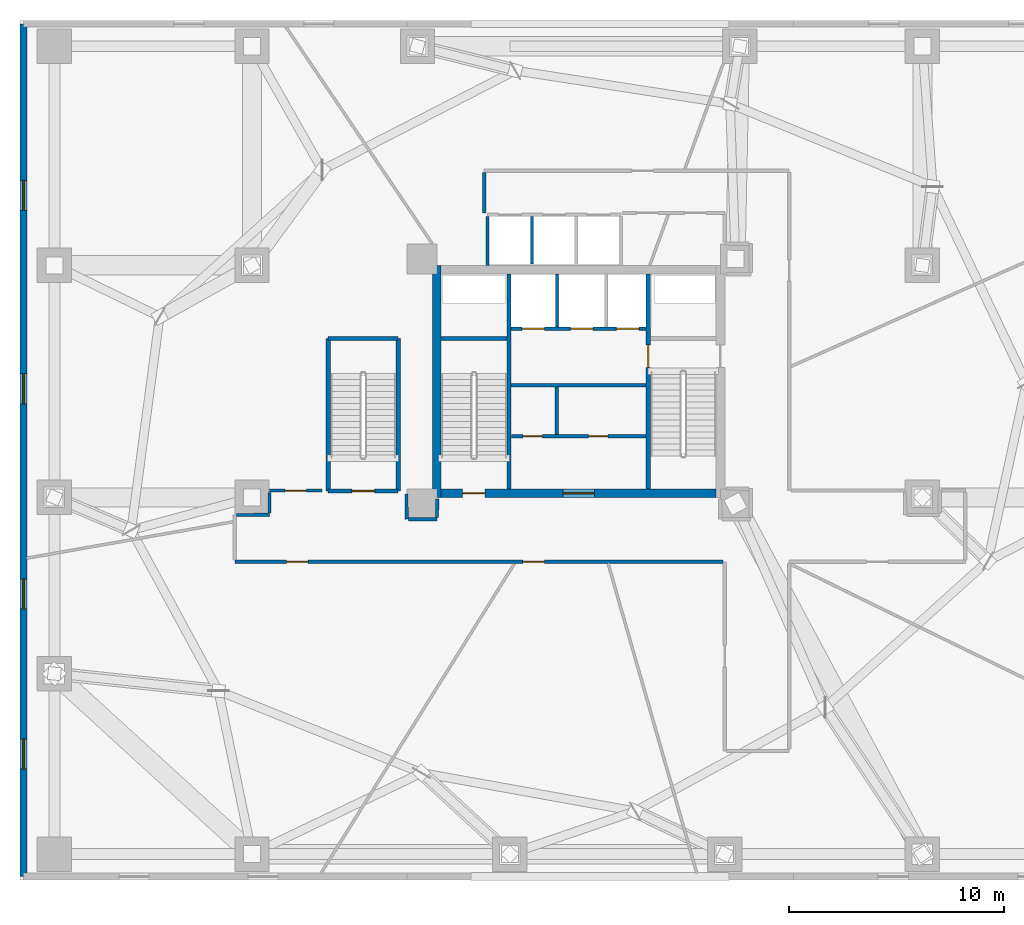
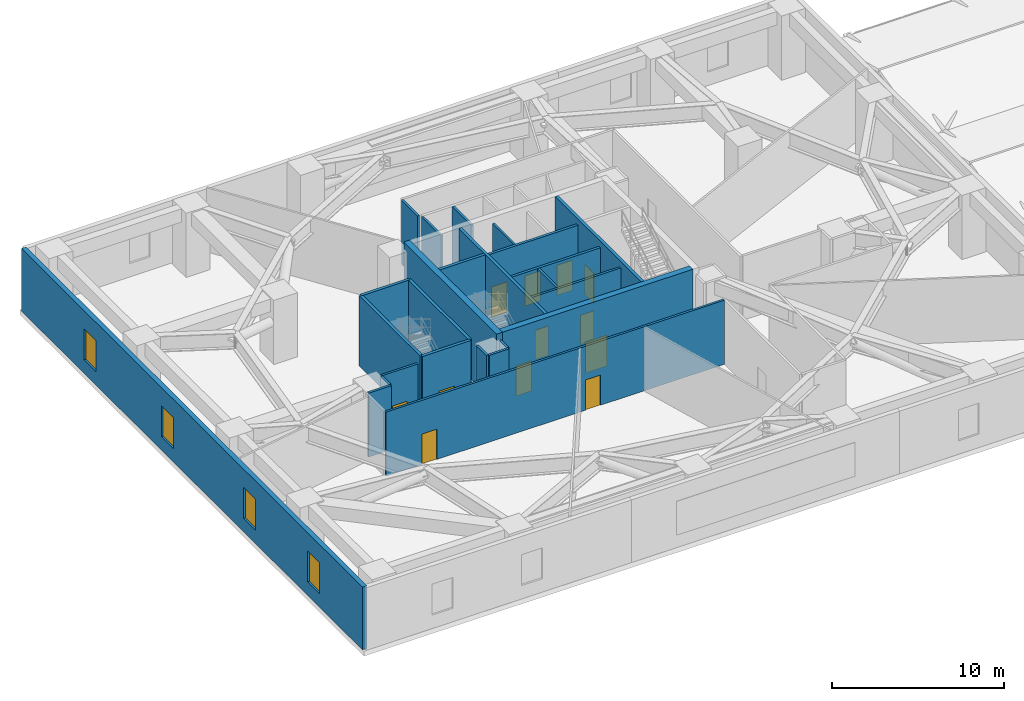
# One storey, part 9 of 13: 25 walls, 12 doors, 4 windows, 16 openings.
"""IFC4 building model written with IfcOpenShell, lengths in metres."""

from ifc_helpers import new_model, si_unit, direction, frame, frame_2d, origin, place, context, subcontext, project, spatial, rectangle, extrude, source, transform, mapped, material, layer, layer_set, type_object, type_shapes, element, fill, save


model = new_model("IFC4")

# Units and contexts
model_context = context("Model", 3, precision=1e-05, world=origin(), true_north=direction((0.0, 1.0)))
body_context = subcontext(model_context, "Body", "Model", "MODEL_VIEW")
ifc_project = project(units=[si_unit("LENGTHUNIT", "METRE"), si_unit("AREAUNIT", "SQUARE_METRE"), si_unit("VOLUMEUNIT", "CUBIC_METRE"), si_unit("PLANEANGLEUNIT", "RADIAN"), si_unit("MASSUNIT", "GRAM", prefix="KILO")], contexts=[model_context])

# Site, building, storey
site_placement = place(None, origin())
site = spatial("IfcSite", under=ifc_project, at=site_placement, CompositionType="ELEMENT")
building_placement = place(site_placement, origin())
building = spatial("IfcBuilding", under=site, at=building_placement, Name="Talar Marvaseh", CompositionType="ELEMENT")
storey_placement = place(building_placement, frame((0.0, 0.0, 19.0)))
storey = spatial("IfcBuildingStorey", under=building, at=storey_placement, Name="L04", CompositionType="ELEMENT", Elevation=19.0)

# Wall, openings, windows
ifc_material_1 = material(Name="Precast concrete C45/55", Category="concrete")
ifc_layer_1 = layer(ifc_material_1, 0.31005859375)
ifc_layer_set_1 = layer_set([ifc_layer_1], Name="Precast concrete C45/55")
wall_type_1 = type_object("IfcWallType", Name="Architectural Precast Limestone Podium Facade Wall 310", PredefinedType="SOLIDWALL", material=ifc_layer_set_1)
wall_1_placement = place(storey_placement, frame((0.159912109375, 8.159912109375, 0.0), z_axis=(0.0, 0.0, 1.0), x_axis=(0.0, 1.0, 0.0)))
wall_1 = element("IfcWall", 1, at=wall_1_placement, inside=storey, type_object=wall_type_1, Name="L04 Podium West Facade Wall", PredefinedType="SOLIDWALL", context=body_context, shape_type="SweptSolid", body=[
    extrude(rectangle(XDim=39.68017578125, YDim=0.31005859375, at=frame_2d((19.840087890625, 0.0))), origin(), (0.0, 0.0, 1.0), 4.449951171875),
])
opening_1_placement = place(wall_1_placement, frame((5.0, 0.0, 0.949951171875)))
opening_1 = element("IfcOpeningElement", 2, at=opening_1_placement, cuts=wall_1, Name="Opening WN-POD14", PredefinedType="OPENING", context=body_context, shape_type="SweptSolid", body=[
    extrude(rectangle(XDim=1.39990234375, YDim=2.199951171875, at=frame_2d((0.699951171875, 1.10009765625))), frame((0.0, 0.1650390625, 0.0), z_axis=(0.0, -1.0, 0.0), x_axis=(1.0, 0.0, 0.0)), (0.0, 0.0, 1.0), 0.330078125),
])
opening_2_placement = place(wall_1_placement, frame((12.449951171875, 0.0, 0.949951171875)))
opening_2 = element("IfcOpeningElement", 3, at=opening_2_placement, cuts=wall_1, Name="Opening WN-POD14", PredefinedType="OPENING", context=body_context, shape_type="SweptSolid", body=[
    extrude(rectangle(XDim=1.39990234375, YDim=2.199951171875, at=frame_2d((0.699951171875, 1.10009765625))), frame((0.0, 0.1650390625, 0.0), z_axis=(0.0, -1.0, 0.0), x_axis=(1.0, 0.0, 0.0)), (0.0, 0.0, 1.0), 0.330078125),
])
opening_3_placement = place(wall_1_placement, frame((22.0, 0.0, 0.949951171875)))
opening_3 = element("IfcOpeningElement", 4, at=opening_3_placement, cuts=wall_1, Name="Opening WN-POD14", PredefinedType="OPENING", context=body_context, shape_type="SweptSolid", body=[
    extrude(rectangle(XDim=1.39990234375, YDim=2.199951171875, at=frame_2d((0.699951171875, 1.10009765625))), frame((0.0, 0.1650390625, 0.0), z_axis=(0.0, -1.0, 0.0), x_axis=(1.0, 0.0, 0.0)), (0.0, 0.0, 1.0), 0.330078125),
])
opening_4_placement = place(wall_1_placement, frame((31.0, 0.0, 0.949951171875)))
opening_4 = element("IfcOpeningElement", 5, at=opening_4_placement, cuts=wall_1, Name="Opening WN-POD14", PredefinedType="OPENING", context=body_context, shape_type="SweptSolid", body=[
    extrude(rectangle(XDim=1.39990234375, YDim=2.199951171875, at=frame_2d((0.699951171875, 1.10009765625))), frame((0.0, 0.1650390625, 0.0), z_axis=(0.0, -1.0, 0.0), x_axis=(1.0, 0.0, 0.0)), (0.0, 0.0, 1.0), 0.330078125),
])
ifc_material_2 = material(Name="Laminated Low-E Solar Glass", Category="glass")
window_type = type_object("IfcWindowType", Name="Podium Mezzanine Solar Window 1400x2200", PartitioningType="SINGLE_PANEL", PredefinedType="WINDOW", material=ifc_material_2)
shared_shape_1 = source(origin(), body_context, "Body", "SweptSolid", [
    extrude(rectangle(XDim=1.39990234375, YDim=2.199951171875, at=frame_2d((0.699951171875, 1.10009765625))), frame((0.0, 0.030029296875, 0.0), z_axis=(0.0, -1.0, 0.0), x_axis=(1.0, 0.0, 0.0)), (0.0, 0.0, 1.0), 0.06005859375),
])
type_shapes(window_type, [shared_shape_1])
window_1_placement = place(opening_1_placement, origin())
window_1 = element("IfcWindow", 6, at=window_1_placement, inside=storey, type_object=window_type, Name="L04 Podium Solar Window", OverallHeight=2.199951171875, OverallWidth=1.39990234375, PartitioningType="SINGLE_PANEL", PredefinedType="WINDOW", context=body_context, shape_type="MappedRepresentation", body=[
    mapped(shared_shape_1, transform((0.0, 0.0, 0.0), x_axis=(1.0, 0.0, 0.0), y_axis=(0.0, 1.0, 0.0), z_axis=(0.0, 0.0, 1.0), scale=1.0)),
])
fill(opening_1, window_1)
window_2_placement = place(opening_2_placement, origin())
window_2 = element("IfcWindow", 7, at=window_2_placement, inside=storey, type_object=window_type, Name="L04 Podium Solar Window", OverallHeight=2.199951171875, OverallWidth=1.39990234375, PartitioningType="SINGLE_PANEL", PredefinedType="WINDOW", context=body_context, shape_type="MappedRepresentation", body=[
    mapped(shared_shape_1, transform((0.0, 0.0, 0.0), x_axis=(1.0, 0.0, 0.0), y_axis=(0.0, 1.0, 0.0), z_axis=(0.0, 0.0, 1.0), scale=1.0)),
])
fill(opening_2, window_2)
window_3_placement = place(opening_3_placement, origin())
window_3 = element("IfcWindow", 8, at=window_3_placement, inside=storey, type_object=window_type, Name="L04 Podium Solar Window", OverallHeight=2.199951171875, OverallWidth=1.39990234375, PartitioningType="SINGLE_PANEL", PredefinedType="WINDOW", context=body_context, shape_type="MappedRepresentation", body=[
    mapped(shared_shape_1, transform((0.0, 0.0, 0.0), x_axis=(1.0, 0.0, 0.0), y_axis=(0.0, 1.0, 0.0), z_axis=(0.0, 0.0, 1.0), scale=1.0)),
])
fill(opening_3, window_3)
window_4_placement = place(opening_4_placement, origin())
window_4 = element("IfcWindow", 9, at=window_4_placement, inside=storey, type_object=window_type, Name="L04 Podium Solar Window", OverallHeight=2.199951171875, OverallWidth=1.39990234375, PartitioningType="SINGLE_PANEL", PredefinedType="WINDOW", context=body_context, shape_type="MappedRepresentation", body=[
    mapped(shared_shape_1, transform((0.0, 0.0, 0.0), x_axis=(1.0, 0.0, 0.0), y_axis=(0.0, 1.0, 0.0), z_axis=(0.0, 0.0, 1.0), scale=1.0)),
])
fill(opening_4, window_4)

# Wall, openings, doors
ifc_material_3 = material(Name="Gypsum Board Partition Assembly")
ifc_layer_2 = layer(ifc_material_3, 0.155029296875)
ifc_layer_set_2 = layer_set([ifc_layer_2], Name="Gypsum Board Partition Assembly")
wall_type_2 = type_object("IfcWallType", Name="Corridor Fire-Rated Acoustic Partition 155", PredefinedType="PARTITIONING", material=ifc_layer_set_2)
wall_2_placement = place(storey_placement, frame((22.865966796875, 28.639892578125, 0.0), z_axis=(0.0, 0.0, 1.0), x_axis=(1.0, 0.0, 0.0)))
wall_2 = element("IfcWall", 10, at=wall_2_placement, inside=storey, type_object=wall_type_2, Name="L04 Core BOH Partition", PredefinedType="PARTITIONING", context=body_context, shape_type="SweptSolid", body=[
    extrude(rectangle(XDim=6.26806640625, YDim=0.155029296875, at=frame_2d((3.134033203125, 0.0))), origin(), (0.0, 0.0, 1.0), 4.550048828125),
])
opening_5_placement = place(wall_2_placement, frame((0.550048828125, 0.0, 0.0)))
opening_5 = element("IfcOpeningElement", 11, at=opening_5_placement, cuts=wall_2, Name="Opening DR-BOH090", PredefinedType="OPENING", context=body_context, shape_type="SweptSolid", body=[
    extrude(rectangle(XDim=0.89990234375, YDim=2.10009765625, at=frame_2d((0.449951171875, 1.050048828125))), frame((0.0, 0.08740234375, 0.0), z_axis=(0.0, -1.0, 0.0), x_axis=(1.0, 0.0, 0.0)), (0.0, 0.0, 1.0), 0.175048828125),
])
opening_6_placement = place(wall_2_placement, frame((3.60009765625, 0.0, 0.0)))
opening_6 = element("IfcOpeningElement", 12, at=opening_6_placement, cuts=wall_2, Name="Opening DR-BOH090", PredefinedType="OPENING", context=body_context, shape_type="SweptSolid", body=[
    extrude(rectangle(XDim=0.89990234375, YDim=2.10009765625, at=frame_2d((0.449951171875, 1.050048828125))), frame((0.0, 0.08740234375, 0.0), z_axis=(0.0, -1.0, 0.0), x_axis=(1.0, 0.0, 0.0)), (0.0, 0.0, 1.0), 0.175048828125),
])
ifc_material_4 = material(Name="Fire-Rated Steel Door Leaf", Category="steel")
door_type_1 = type_object("IfcDoorType", Name="Core Back-of-House Service Door 900x2100", OperationType="NOTDEFINED", PredefinedType="DOOR", material=ifc_material_4)
shared_shape_2 = source(origin(), body_context, "Body", "SweptSolid", [
    extrude(rectangle(XDim=0.89990234375, YDim=2.10009765625, at=frame_2d((0.449951171875, 1.050048828125))), frame((0.0, 0.02490234375, 0.0), z_axis=(0.0, -1.0, 0.0), x_axis=(1.0, 0.0, 0.0)), (0.0, 0.0, 1.0), 0.050048828125),
])
type_shapes(door_type_1, [shared_shape_2])
door_1_placement = place(opening_5_placement, origin())
door_1 = element("IfcDoor", 13, at=door_1_placement, inside=storey, type_object=door_type_1, Name="L04 Cleaner Janitor Store Door", OperationType="SINGLE_SWING_LEFT", OverallHeight=2.10009765625, OverallWidth=0.89990234375, PredefinedType="DOOR", context=body_context, shape_type="MappedRepresentation", body=[
    mapped(shared_shape_2, transform((0.0, 0.0, 0.0), x_axis=(1.0, 0.0, 0.0), y_axis=(0.0, 1.0, 0.0), z_axis=(0.0, 0.0, 1.0), scale=1.0)),
])
fill(opening_5, door_1)
door_2_placement = place(opening_6_placement, origin())
door_2 = element("IfcDoor", 14, at=door_2_placement, inside=storey, type_object=door_type_1, Name="L04 Plant Core Electrical Meter Room Door", OperationType="SINGLE_SWING_RIGHT", OverallHeight=2.10009765625, OverallWidth=0.89990234375, PredefinedType="DOOR", context=body_context, shape_type="MappedRepresentation", body=[
    mapped(shared_shape_2, transform((0.0, 0.0, 0.0), x_axis=(1.0, 0.0, 0.0), y_axis=(0.0, 1.0, 0.0), z_axis=(0.0, 0.0, 1.0), scale=1.0)),
])
fill(opening_6, door_2)

# Wall
wall_3_placement = place(storey_placement, frame((24.97998046875, 28.719970703125, 0.0), z_axis=(0.0, 0.0, 1.0), x_axis=(0.0, 1.0, 0.0)))
element("IfcWall", 15, at=wall_3_placement, inside=storey, type_object=wall_type_2, Name="L04 Core BOH Partition", PredefinedType="PARTITIONING", context=body_context, shape_type="SweptSolid", body=[
    extrude(rectangle(XDim=2.219970703125, YDim=0.155029296875, at=frame_2d((1.10986328125, 0.0))), origin(), (0.0, 0.0, 1.0), 4.550048828125),
])

# Wall, openings, doors
wall_4_placement = place(storey_placement, frame((32.716552734375, 22.800048828125, 0.0), z_axis=(0.0, 0.0, 1.0), x_axis=(-1.0, 0.0, 0.0)))
wall_4 = element("IfcWall", 16, at=wall_4_placement, inside=storey, type_object=wall_type_2, Name="L04 Interior Partition Wall", PredefinedType="PARTITIONING", context=body_context, shape_type="SweptSolid", body=[
    extrude(rectangle(XDim=22.716552734375, YDim=0.155029296875, at=frame_2d((11.3583984375, 0.0))), origin(), (0.0, 0.0, 1.0), 4.550048828125),
])
opening_7_placement = place(wall_4_placement, frame((19.311767578125, 0.0, 0.0)))
opening_7 = element("IfcOpeningElement", 17, at=opening_7_placement, cuts=wall_4, Name="Opening DR-RM100", PredefinedType="OPENING", context=body_context, shape_type="SweptSolid", body=[
    extrude(rectangle(XDim=1.0, YDim=2.14990234375, at=frame_2d((0.5, 1.074951171875))), frame((0.0, 0.08740234375, 0.0), z_axis=(0.0, -1.0, 0.0), x_axis=(1.0, 0.0, 0.0)), (0.0, 0.0, 1.0), 0.175048828125),
])
opening_8_placement = place(wall_4_placement, frame((8.3076171875, 0.0, 0.0)))
opening_8 = element("IfcOpeningElement", 18, at=opening_8_placement, cuts=wall_4, Name="Opening DR-RM100", PredefinedType="OPENING", context=body_context, shape_type="SweptSolid", body=[
    extrude(rectangle(XDim=1.0, YDim=2.14990234375, at=frame_2d((0.5, 1.074951171875))), frame((0.0, 0.08740234375, 0.0), z_axis=(0.0, -1.0, 0.0), x_axis=(1.0, 0.0, 0.0)), (0.0, 0.0, 1.0), 0.175048828125),
])
ifc_material_5 = material(Name="Acoustic Engineered Oak Timber", Category="wood")
door_type_2 = type_object("IfcDoorType", Name="Corridor Fire-Rated Gallery Door 1000x2150", OperationType="NOTDEFINED", PredefinedType="DOOR", material=ifc_material_5)
shared_shape_3 = source(origin(), body_context, "Body", "SweptSolid", [
    extrude(rectangle(XDim=1.0, YDim=2.14990234375, at=frame_2d((0.5, 1.074951171875))), frame((0.0, 0.02490234375, 0.0), z_axis=(0.0, -1.0, 0.0), x_axis=(1.0, 0.0, 0.0)), (0.0, 0.0, 1.0), 0.050048828125),
])
type_shapes(door_type_2, [shared_shape_3])
door_3_placement = place(opening_7_placement, origin())
door_3 = element("IfcDoor", 19, at=door_3_placement, inside=storey, type_object=door_type_2, Name="L04 Podium Transfer Truss Mechanical Plant Room Door", OperationType="SINGLE_SWING_LEFT", OverallHeight=2.14990234375, OverallWidth=1.0, PredefinedType="DOOR", context=body_context, shape_type="MappedRepresentation", body=[
    mapped(shared_shape_3, transform((0.0, 0.0, 0.0), x_axis=(1.0, 0.0, 0.0), y_axis=(0.0, 1.0, 0.0), z_axis=(0.0, 0.0, 1.0), scale=1.0)),
])
fill(opening_7, door_3)
door_4_placement = place(opening_8_placement, origin())
door_4 = element("IfcDoor", 20, at=door_4_placement, inside=storey, type_object=door_type_2, Name="L04 Podium AHU Ventilation Plant Room Door", OperationType="SINGLE_SWING_RIGHT", OverallHeight=2.14990234375, OverallWidth=1.0, PredefinedType="DOOR", context=body_context, shape_type="MappedRepresentation", body=[
    mapped(shared_shape_3, transform((0.0, 0.0, 0.0), x_axis=(1.0, 0.0, 0.0), y_axis=(0.0, 1.0, 0.0), z_axis=(0.0, 0.0, 1.0), scale=1.0)),
])
fill(opening_8, door_4)

# Wall, opening, door
wall_5_placement = place(storey_placement, frame((11.614990234375, 26.1201171875, 0.0), z_axis=(0.0, 0.0, 1.0), x_axis=(1.0, 0.0, 0.0)))
wall_5 = element("IfcWall", 21, at=wall_5_placement, inside=storey, type_object=wall_type_2, Name="L04 Interior Partition Wall", PredefinedType="PARTITIONING", context=body_context, shape_type="SweptSolid", body=[
    extrude(rectangle(XDim=2.43505859375, YDim=0.155029296875, at=frame_2d((1.217529296875, 0.0))), origin(), (0.0, 0.0, 1.0), 4.550048828125),
])
opening_9_placement = place(wall_5_placement, frame((0.717529296875, 0.0, 0.0)))
opening_9 = element("IfcOpeningElement", 22, at=opening_9_placement, cuts=wall_5, Name="Opening DR-RM100", PredefinedType="OPENING", context=body_context, shape_type="SweptSolid", body=[
    extrude(rectangle(XDim=1.0, YDim=2.14990234375, at=frame_2d((0.5, 1.074951171875))), frame((0.0, 0.08740234375, 0.0), z_axis=(0.0, -1.0, 0.0), x_axis=(1.0, 0.0, 0.0)), (0.0, 0.0, 1.0), 0.175048828125),
])
door_5_placement = place(opening_9_placement, origin())
door_5 = element("IfcDoor", 23, at=door_5_placement, inside=storey, type_object=door_type_2, Name="L04 Podium AHU Ventilation Plant Room 3 Door", OperationType="SINGLE_SWING_RIGHT", OverallHeight=2.14990234375, OverallWidth=1.0, PredefinedType="DOOR", context=body_context, shape_type="MappedRepresentation", body=[
    mapped(shared_shape_3, transform((0.0, 0.0, 0.0), x_axis=(1.0, 0.0, 0.0), y_axis=(0.0, 1.0, 0.0), z_axis=(0.0, 0.0, 1.0), scale=1.0)),
])
fill(opening_9, door_5)

# Walls
wall_6_placement = place(storey_placement, frame((10.08349609375, 24.985107421875, 0.0), z_axis=(0.0, 0.0, 1.0), x_axis=(0.999998718362, 0.001601022604, 0.0)))
element("IfcWall", 24, at=wall_6_placement, inside=storey, type_object=wall_type_2, Name="L04 Interior Partition Wall", PredefinedType="PARTITIONING", context=body_context, shape_type="SweptSolid", body=[
    extrude(rectangle(XDim=1.52490234375, YDim=0.155029296875, at=frame_2d((0.762451171875, 0.0))), origin(), (0.0, 0.0, 1.0), 4.550048828125),
])
wall_7_placement = place(storey_placement, frame((11.60888671875, 25.071044921875, 0.0), z_axis=(0.0, 0.0, 1.0), x_axis=(0.005815325181, 0.999983090854, 0.0)))
element("IfcWall", 25, at=wall_7_placement, inside=storey, type_object=wall_type_2, Name="L04 Interior Partition Wall", PredefinedType="PARTITIONING", context=body_context, shape_type="SweptSolid", body=[
    extrude(rectangle(XDim=0.965576171875, YDim=0.155029296875, at=frame_2d((0.48291015625, 0.0))), origin(), (0.0, 0.0, 1.0), 4.550048828125),
])
wall_8_placement = place(storey_placement, frame((17.985107421875, 25.949951171875, 0.0), z_axis=(0.0, 0.0, 1.0), x_axis=(0.01152721563, -0.999933559443, 0.0)))
element("IfcWall", 26, at=wall_8_placement, inside=storey, type_object=wall_type_2, Name="L04 Interior Partition Wall", PredefinedType="PARTITIONING", context=body_context, shape_type="SweptSolid", body=[
    extrude(rectangle(XDim=1.164794921875, YDim=0.155029296875, at=frame_2d((0.58251953125, 0.0))), origin(), (0.0, 0.0, 1.0), 4.550048828125),
])
wall_9_placement = place(storey_placement, frame((18.08203125, 24.78515625, 0.0), z_axis=(0.0, 0.0, 1.0), x_axis=(0.99999830547, 0.001840939443, 0.0)))
element("IfcWall", 27, at=wall_9_placement, inside=storey, type_object=wall_type_2, Name="L04 Interior Partition Wall", PredefinedType="PARTITIONING", context=body_context, shape_type="SweptSolid", body=[
    extrude(rectangle(XDim=1.326171875, YDim=0.155029296875, at=frame_2d((0.6630859375, 0.0))), origin(), (0.0, 0.0, 1.0), 4.550048828125),
])
wall_10_placement = place(storey_placement, frame((19.408935546875, 24.87109375, 0.0), z_axis=(0.0, 0.0, 1.0), x_axis=(0.007106130977, 0.999974751133, 0.0)))
element("IfcWall", 28, at=wall_10_placement, inside=storey, type_object=wall_type_2, Name="L04 Interior Partition Wall", PredefinedType="PARTITIONING", context=body_context, shape_type="SweptSolid", body=[
    extrude(rectangle(XDim=0.85888671875, YDim=0.155029296875, at=frame_2d((0.429443359375, 0.0))), origin(), (0.0, 0.0, 1.0), 4.550048828125),
])
wall_11_placement = place(storey_placement, frame((21.60009765625, 39.0400390625, 0.0), z_axis=(0.0, 0.0, 1.0), x_axis=(0.0, 1.0, 0.0)))
element("IfcWall", 29, at=wall_11_placement, inside=storey, type_object=wall_type_2, Name="L04 Interior Partition Wall", PredefinedType="PARTITIONING", context=body_context, shape_type="SweptSolid", body=[
    extrude(rectangle(XDim=1.87646484375, YDim=0.155029296875, at=frame_2d((0.938232421875, 0.0))), origin(), (0.0, 0.0, 1.0), 4.550048828125),
])
ifc_layer_3 = layer(ifc_material_1, 0.14501953125)
ifc_layer_set_3 = layer_set([ifc_layer_3], Name="Precast concrete C45/55")
wall_type_3 = type_object("IfcWallType", Name="Fire-Rated Lift Divider Wall 145", PredefinedType="SOLIDWALL", material=ifc_layer_set_3)
wall_12_placement = place(storey_placement, frame((25.0, 33.743408203125, 0.0), z_axis=(0.0, 0.0, 1.0), x_axis=(0.0, 1.0, 0.0)))
element("IfcWall", 30, at=wall_12_placement, inside=storey, type_object=wall_type_3, Name="L04 FFL-1/FFL-2 Divider", PredefinedType="SOLIDWALL", context=body_context, shape_type="SweptSolid", body=[
    extrude(rectangle(XDim=2.45654296875, YDim=0.14501953125, at=frame_2d((1.228271484375, 0.0))), origin(), (0.0, 0.0, 1.0), 4.550048828125),
])
wall_13_placement = place(storey_placement, frame((21.760009765625, 36.60009765625, 0.0), z_axis=(0.0, 0.0, 1.0), x_axis=(0.0, 1.0, 0.0)))
element("IfcWall", 31, at=wall_13_placement, inside=storey, type_object=wall_type_3, Name="L04 Low-Rise Bank West Wall", PredefinedType="SOLIDWALL", context=body_context, shape_type="SweptSolid", body=[
    extrude(rectangle(XDim=2.266357421875, YDim=0.14501953125, at=frame_2d((1.13330078125, 0.0))), origin(), (0.0, 0.0, 1.0), 4.550048828125),
])
wall_14_placement = place(storey_placement, frame((23.830078125, 36.659912109375, 0.0), z_axis=(0.0, 0.0, 1.0), x_axis=(0.0, 1.0, 0.0)))
element("IfcWall", 32, at=wall_14_placement, inside=storey, type_object=wall_type_3, Name="L04 PL-L1/PL-L2 Divider", PredefinedType="SOLIDWALL", context=body_context, shape_type="SweptSolid", body=[
    extrude(rectangle(XDim=2.20654296875, YDim=0.14501953125, at=frame_2d((1.103271484375, 0.0))), origin(), (0.0, 0.0, 1.0), 4.550048828125),
])

# Wall, openings, doors
ifc_layer_4 = layer(ifc_material_1, 0.175048828125)
ifc_layer_set_4 = layer_set([ifc_layer_4], Name="Precast concrete C45/55")
wall_type_4 = type_object("IfcWallType", Name="Fire-Rated Lift Hoistway Enclosure Wall 175", PredefinedType="SOLIDWALL", material=ifc_layer_set_4)
wall_15_placement = place(storey_placement, frame((22.860107421875, 33.64990234375, 0.0), z_axis=(0.0, 0.0, 1.0), x_axis=(1.0, 0.0, 0.0)))
wall_15 = element("IfcWall", 33, at=wall_15_placement, inside=storey, type_object=wall_type_4, Name="L04 Firefighting and Service Lift Front Wall", PredefinedType="SOLIDWALL", context=body_context, shape_type="SweptSolid", body=[
    extrude(rectangle(XDim=6.27978515625, YDim=0.175048828125, at=frame_2d((3.139892578125, 0.0))), origin(), (0.0, 0.0, 1.0), 4.550048828125),
])
opening_10_placement = place(wall_15_placement, frame((0.5, 0.0, 0.0)))
opening_10 = element("IfcOpeningElement", 34, at=opening_10_placement, cuts=wall_15, Name="Opening LD-FF1", PredefinedType="OPENING", context=body_context, shape_type="SweptSolid", body=[
    extrude(rectangle(XDim=1.050048828125, YDim=2.14990234375, at=frame_2d((0.52490234375, 1.074951171875))), frame((0.0, 0.09765625, 0.0), z_axis=(0.0, -1.0, 0.0), x_axis=(1.0, 0.0, 0.0)), (0.0, 0.0, 1.0), 0.195068359375),
])
opening_11_placement = place(wall_15_placement, frame((2.760009765625, 0.0, 0.0)))
opening_11 = element("IfcOpeningElement", 35, at=opening_11_placement, cuts=wall_15, Name="Opening LD-FF2", PredefinedType="OPENING", context=body_context, shape_type="SweptSolid", body=[
    extrude(rectangle(XDim=1.050048828125, YDim=2.14990234375, at=frame_2d((0.52490234375, 1.074951171875))), frame((0.0, 0.09765625, 0.0), z_axis=(0.0, -1.0, 0.0), x_axis=(1.0, 0.0, 0.0)), (0.0, 0.0, 1.0), 0.195068359375),
])
opening_12_placement = place(wall_15_placement, frame((4.89990234375, 0.0, 0.0)))
opening_12 = element("IfcOpeningElement", 36, at=opening_12_placement, cuts=wall_15, Name="Opening LD-SV1", PredefinedType="OPENING", context=body_context, shape_type="SweptSolid", body=[
    extrude(rectangle(XDim=1.050048828125, YDim=2.14990234375, at=frame_2d((0.52490234375, 1.074951171875))), frame((0.0, 0.09765625, 0.0), z_axis=(0.0, -1.0, 0.0), x_axis=(1.0, 0.0, 0.0)), (0.0, 0.0, 1.0), 0.195068359375),
])
ifc_material_6 = material(Name="Stainless Steel Grade 316", Category="steel")
door_type_3 = type_object("IfcDoorType", Name="Automatic Sliding Lift Landing Door 1050x2150", OperationType="NOTDEFINED", PredefinedType="DOOR", material=ifc_material_6)
shared_shape_4 = source(origin(), body_context, "Body", "SweptSolid", [
    extrude(rectangle(XDim=1.050048828125, YDim=2.14990234375, at=frame_2d((0.52490234375, 1.074951171875))), frame((0.0, 0.02490234375, 0.0), z_axis=(0.0, -1.0, 0.0), x_axis=(1.0, 0.0, 0.0)), (0.0, 0.0, 1.0), 0.050048828125),
])
type_shapes(door_type_3, [shared_shape_4])
door_6_placement = place(opening_10_placement, origin())
door_6 = element("IfcDoor", 37, at=door_6_placement, inside=storey, type_object=door_type_3, Name="L04 Lift FFL-1 Sliding Landing Door", OperationType="SLIDING_TO_LEFT", OverallHeight=2.14990234375, OverallWidth=1.050048828125, PredefinedType="DOOR", context=body_context, shape_type="MappedRepresentation", body=[
    mapped(shared_shape_4, transform((0.0, 0.0, 0.0), x_axis=(1.0, 0.0, 0.0), y_axis=(0.0, 1.0, 0.0), z_axis=(0.0, 0.0, 1.0), scale=1.0)),
])
fill(opening_10, door_6)
door_7_placement = place(opening_11_placement, origin())
door_7 = element("IfcDoor", 38, at=door_7_placement, inside=storey, type_object=door_type_3, Name="L04 Lift FFL-2 Sliding Landing Door", OperationType="SLIDING_TO_LEFT", OverallHeight=2.14990234375, OverallWidth=1.050048828125, PredefinedType="DOOR", context=body_context, shape_type="MappedRepresentation", body=[
    mapped(shared_shape_4, transform((0.0, 0.0, 0.0), x_axis=(1.0, 0.0, 0.0), y_axis=(0.0, 1.0, 0.0), z_axis=(0.0, 0.0, 1.0), scale=1.0)),
])
fill(opening_11, door_7)
door_8_placement = place(opening_12_placement, origin())
door_8 = element("IfcDoor", 39, at=door_8_placement, inside=storey, type_object=door_type_3, Name="L04 Lift SVL-1 Sliding Landing Door", OperationType="SLIDING_TO_LEFT", OverallHeight=2.14990234375, OverallWidth=1.050048828125, PredefinedType="DOOR", context=body_context, shape_type="MappedRepresentation", body=[
    mapped(shared_shape_4, transform((0.0, 0.0, 0.0), x_axis=(1.0, 0.0, 0.0), y_axis=(0.0, 1.0, 0.0), z_axis=(0.0, 0.0, 1.0), scale=1.0)),
])
fill(opening_12, door_8)

# Walls
wall_16_placement = place(storey_placement, frame((22.860107421875, 31.02001953125, 0.0), z_axis=(0.0, 0.0, 1.0), x_axis=(1.0, 0.0, 0.0)))
element("IfcWall", 40, at=wall_16_placement, inside=storey, type_object=wall_type_4, Name="L04 Firefighting Lobby South Smoke Wall", PredefinedType="SOLIDWALL", context=body_context, shape_type="SweptSolid", body=[
    extrude(rectangle(XDim=6.27978515625, YDim=0.175048828125, at=frame_2d((3.139892578125, 0.0))), origin(), (0.0, 0.0, 1.0), 4.550048828125),
])
ifc_material_7 = material(Name="Concrete C70/85", Category="concrete")
ifc_layer_5 = layer(ifc_material_7, 0.39990234375)
ifc_layer_set_5 = layer_set([ifc_layer_5], Name="Concrete C70/85")
wall_type_5 = type_object("IfcWallType", Name="Lower Core Reinforced Concrete Shear Wall 400", PredefinedType="SHEAR", material=ifc_layer_set_5)
wall_17_placement = place(storey_placement, frame((19.39990234375, 25.800048828125, 0.0), z_axis=(0.0, 0.0, 1.0), x_axis=(0.0, 1.0, 0.0)))
element("IfcWall", 41, at=wall_17_placement, inside=storey, type_object=wall_type_5, Name="L04 West Core Shear Wall", PredefinedType="SHEAR", context=body_context, shape_type="SweptSolid", body=[
    extrude(rectangle(XDim=10.800048828125, YDim=0.39990234375, at=frame_2d((5.39990234375, 0.0))), origin(), (0.0, 0.0, 1.0), 5.0),
])

# Wall, openings, doors
wall_18_placement = place(storey_placement, frame((32.39990234375, 26.0, 0.0), z_axis=(0.0, 0.0, 1.0), x_axis=(-1.0, 0.0, 0.0)))
wall_18 = element("IfcWall", 42, at=wall_18_placement, inside=storey, type_object=wall_type_5, Name="L04 South Core Shear Wall", PredefinedType="SHEAR", context=body_context, shape_type="SweptSolid", body=[
    extrude(rectangle(XDim=12.7998046875, YDim=0.39990234375, at=frame_2d((6.39990234375, 0.0))), origin(), (0.0, 0.0, 1.0), 5.0),
])
opening_13_placement = place(wall_18_placement, frame((10.75, 0.0, 0.0)))
opening_13 = element("IfcOpeningElement", 43, at=opening_13_placement, cuts=wall_18, Name="Opening DR-ST105", PredefinedType="OPENING", context=body_context, shape_type="SweptSolid", body=[
    extrude(rectangle(XDim=1.050048828125, YDim=2.14990234375, at=frame_2d((0.52490234375, 1.074951171875))), frame((0.0, 0.2099609375, 0.0), z_axis=(0.0, -1.0, 0.0), x_axis=(1.0, 0.0, 0.0)), (0.0, 0.0, 1.0), 0.419921875),
])
opening_14_placement = place(wall_18_placement, frame((5.669921875, 0.0, 0.0)))
opening_14 = element("IfcOpeningElement", 44, at=opening_14_placement, cuts=wall_18, Name="Opening DR-LBY145", PredefinedType="OPENING", context=body_context, shape_type="SweptSolid", body=[
    extrude(rectangle(XDim=1.449951171875, YDim=2.199951171875, at=frame_2d((0.72509765625, 1.10009765625))), frame((0.0, 0.2099609375, 0.0), z_axis=(0.0, -1.0, 0.0), x_axis=(1.0, 0.0, 0.0)), (0.0, 0.0, 1.0), 0.419921875),
])
door_type_4 = type_object("IfcDoorType", Name="Protected Exit Stair Fire Door 1050x2150", OperationType="NOTDEFINED", PredefinedType="DOOR", material=ifc_material_4)
shared_shape_5 = source(origin(), body_context, "Body", "SweptSolid", [
    extrude(rectangle(XDim=1.050048828125, YDim=2.14990234375, at=frame_2d((0.52490234375, 1.074951171875))), frame((0.0, 0.02490234375, 0.0), z_axis=(0.0, -1.0, 0.0), x_axis=(1.0, 0.0, 0.0)), (0.0, 0.0, 1.0), 0.050048828125),
])
type_shapes(door_type_4, [shared_shape_5])
door_9_placement = place(opening_13_placement, origin())
door_9 = element("IfcDoor", 45, at=door_9_placement, inside=storey, type_object=door_type_4, Name="L04 Stair ST-1 Exit Door", OperationType="SINGLE_SWING_RIGHT", OverallHeight=2.14990234375, OverallWidth=1.050048828125, PredefinedType="DOOR", context=body_context, shape_type="MappedRepresentation", body=[
    mapped(shared_shape_5, transform((0.0, 0.0, 0.0), x_axis=(1.0, 0.0, 0.0), y_axis=(0.0, 1.0, 0.0), z_axis=(0.0, 0.0, 1.0), scale=1.0)),
])
fill(opening_13, door_9)
door_type_5 = type_object("IfcDoorType", Name="Core Lift Lobby Double Smoke Door 1450x2200", OperationType="NOTDEFINED", PredefinedType="DOOR", material=ifc_material_4)
shared_shape_6 = source(origin(), body_context, "Body", "SweptSolid", [
    extrude(rectangle(XDim=1.449951171875, YDim=2.199951171875, at=frame_2d((0.72509765625, 1.10009765625))), frame((0.0, 0.02490234375, 0.0), z_axis=(0.0, -1.0, 0.0), x_axis=(1.0, 0.0, 0.0)), (0.0, 0.0, 1.0), 0.050048828125),
])
type_shapes(door_type_5, [shared_shape_6])
door_10_placement = place(opening_14_placement, origin())
door_10 = element("IfcDoor", 46, at=door_10_placement, inside=storey, type_object=door_type_5, Name="L04 Passenger Lift Lobby Entrance Door", OperationType="DOUBLE_DOOR_SINGLE_SWING", OverallHeight=2.199951171875, OverallWidth=1.449951171875, PredefinedType="DOOR", context=body_context, shape_type="MappedRepresentation", body=[
    mapped(shared_shape_6, transform((0.0, 0.0, 0.0), x_axis=(1.0, 0.0, 0.0), y_axis=(0.0, 1.0, 0.0), z_axis=(0.0, 0.0, 1.0), scale=1.0)),
])
fill(opening_14, door_10)

# Wall
ifc_material_8 = material(Name="Concrete C50/60", Category="concrete")
ifc_layer_6 = layer(ifc_material_8, 0.199951171875)
ifc_layer_set_6 = layer_set([ifc_layer_6], Name="Concrete C50/60")
wall_type_6 = type_object("IfcWallType", Name="Stair Shaft Structural Concrete Shear Wall 200", PredefinedType="SHEAR", material=ifc_layer_set_6)
wall_19_placement = place(storey_placement, frame((22.760009765625, 26.199951171875, 0.0), z_axis=(0.0, 0.0, 1.0), x_axis=(0.0, 1.0, 0.0)))
element("IfcWall", 47, at=wall_19_placement, inside=storey, type_object=wall_type_6, Name="L04 Core West Stair Shear Wall", PredefinedType="SHEAR", context=body_context, shape_type="SweptSolid", body=[
    extrude(rectangle(XDim=10.0, YDim=0.199951171875, at=frame_2d((5.0, 0.0))), origin(), (0.0, 0.0, 1.0), 5.0),
])

# Wall, opening, door
wall_20_placement = place(storey_placement, frame((29.239990234375, 26.199951171875, 0.0), z_axis=(0.0, 0.0, 1.0), x_axis=(0.0, 1.0, 0.0)))
wall_20 = element("IfcWall", 48, at=wall_20_placement, inside=storey, type_object=wall_type_6, Name="L04 Core East Stair Shear Wall", PredefinedType="SHEAR", context=body_context, shape_type="SweptSolid", body=[
    extrude(rectangle(XDim=10.0, YDim=0.199951171875, at=frame_2d((5.0, 0.0))), origin(), (0.0, 0.0, 1.0), 5.0),
])
opening_15_placement = place(wall_20_placement, frame((5.64990234375, 0.0, 0.0)))
opening_15 = element("IfcOpeningElement", 49, at=opening_15_placement, cuts=wall_20, Name="Opening DR-ST105", PredefinedType="OPENING", context=body_context, shape_type="SweptSolid", body=[
    extrude(rectangle(XDim=1.050048828125, YDim=2.14990234375, at=frame_2d((0.52490234375, 1.074951171875))), frame((0.0, 0.10986328125, 0.0), z_axis=(0.0, -1.0, 0.0), x_axis=(1.0, 0.0, 0.0)), (0.0, 0.0, 1.0), 0.219970703125),
])
door_11_placement = place(opening_15_placement, origin())
door_11 = element("IfcDoor", 50, at=door_11_placement, inside=storey, type_object=door_type_4, Name="L04 Firefighting Lobby to Stair ST-2 Door", OperationType="SINGLE_SWING_LEFT", OverallHeight=2.14990234375, OverallWidth=1.050048828125, PredefinedType="DOOR", context=body_context, shape_type="MappedRepresentation", body=[
    mapped(shared_shape_5, transform((0.0, 0.0, 0.0), x_axis=(1.0, 0.0, 0.0), y_axis=(0.0, 1.0, 0.0), z_axis=(0.0, 0.0, 1.0), scale=1.0)),
])
fill(opening_15, door_11)

# Wall
wall_21_placement = place(storey_placement, frame((19.60009765625, 33.199951171875, 0.0), z_axis=(0.0, 0.0, 1.0), x_axis=(1.0, 0.0, 0.0)))
element("IfcWall", 51, at=wall_21_placement, inside=storey, type_object=wall_type_6, Name="L04 Stair ST-1 North Shear Wall", PredefinedType="SHEAR", context=body_context, shape_type="SweptSolid", body=[
    extrude(rectangle(XDim=3.059814453125, YDim=0.199951171875, at=frame_2d((1.52978515625, 0.0))), origin(), (0.0, 0.0, 1.0), 5.0),
])

# Wall, opening, door
wall_22_placement = place(storey_placement, frame((17.60009765625, 26.10009765625, 0.0), z_axis=(0.0, 0.0, 1.0), x_axis=(-1.0, 0.0, 0.0)))
wall_22 = element("IfcWall", 52, at=wall_22_placement, inside=storey, type_object=wall_type_6, Name="L04 Stair ST-3 South Shear Wall", PredefinedType="SHEAR", context=body_context, shape_type="SweptSolid", body=[
    extrude(rectangle(XDim=3.260009765625, YDim=0.199951171875, at=frame_2d((1.6298828125, 0.0))), origin(), (0.0, 0.0, 1.0), 5.0),
])
opening_16_placement = place(wall_22_placement, frame((1.10009765625, 0.0, 0.0)))
opening_16 = element("IfcOpeningElement", 53, at=opening_16_placement, cuts=wall_22, Name="Opening DR-ST105", PredefinedType="OPENING", context=body_context, shape_type="SweptSolid", body=[
    extrude(rectangle(XDim=1.050048828125, YDim=2.14990234375, at=frame_2d((0.52490234375, 1.074951171875))), frame((0.0, 0.10986328125, 0.0), z_axis=(0.0, -1.0, 0.0), x_axis=(1.0, 0.0, 0.0)), (0.0, 0.0, 1.0), 0.219970703125),
])
door_12_placement = place(opening_16_placement, origin())
door_12 = element("IfcDoor", 54, at=door_12_placement, inside=storey, type_object=door_type_4, Name="L04 Stair ST-3 Exit Door", OperationType="SINGLE_SWING_LEFT", OverallHeight=2.14990234375, OverallWidth=1.050048828125, PredefinedType="DOOR", context=body_context, shape_type="MappedRepresentation", body=[
    mapped(shared_shape_5, transform((0.0, 0.0, 0.0), x_axis=(1.0, 0.0, 0.0), y_axis=(0.0, 1.0, 0.0), z_axis=(0.0, 0.0, 1.0), scale=1.0)),
])
fill(opening_16, door_12)

# Walls
wall_23_placement = place(storey_placement, frame((14.340087890625, 33.199951171875, 0.0), z_axis=(0.0, 0.0, 1.0), x_axis=(1.0, 0.0, 0.0)))
element("IfcWall", 55, at=wall_23_placement, inside=storey, type_object=wall_type_6, Name="L04 Stair ST-3 North Shear Wall", PredefinedType="SHEAR", context=body_context, shape_type="SweptSolid", body=[
    extrude(rectangle(XDim=3.260009765625, YDim=0.199951171875, at=frame_2d((1.6298828125, 0.0))), origin(), (0.0, 0.0, 1.0), 5.0),
])
for number, where, z_axis, x_axis, name in (
    (56, (14.340087890625, 26.10009765625, 0.0), (0.0, 0.0, 1.0), (0.0, 1.0, 0.0), "L04 Stair ST-3 West Shear Wall"),
    (57, (17.60009765625, 26.10009765625, 0.0), (0.0, 0.0, 1.0), (0.0, 1.0, 0.0), "L04 Stair ST-3 East Shear Wall"),
):
    element("IfcWall", number, at=place(storey_placement, frame(where, z_axis=z_axis, x_axis=x_axis)), inside=storey, type_object=wall_type_6, Name=name, PredefinedType="SHEAR", context=body_context, shape_type="SweptSolid", body=[
        extrude(rectangle(XDim=7.099853515625, YDim=0.199951171875, at=frame_2d((3.5498046875, 0.0))), origin(), (0.0, 0.0, 1.0), 5.0),
    ])

save(model, "model.ifc")
